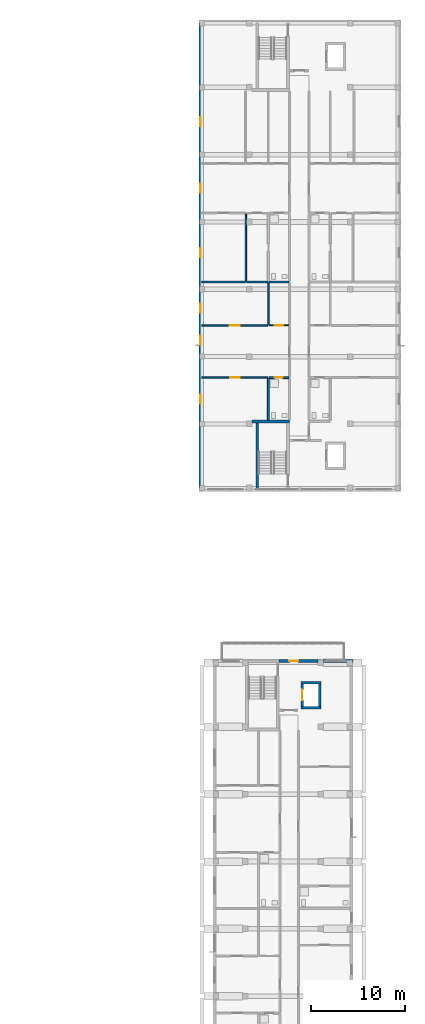
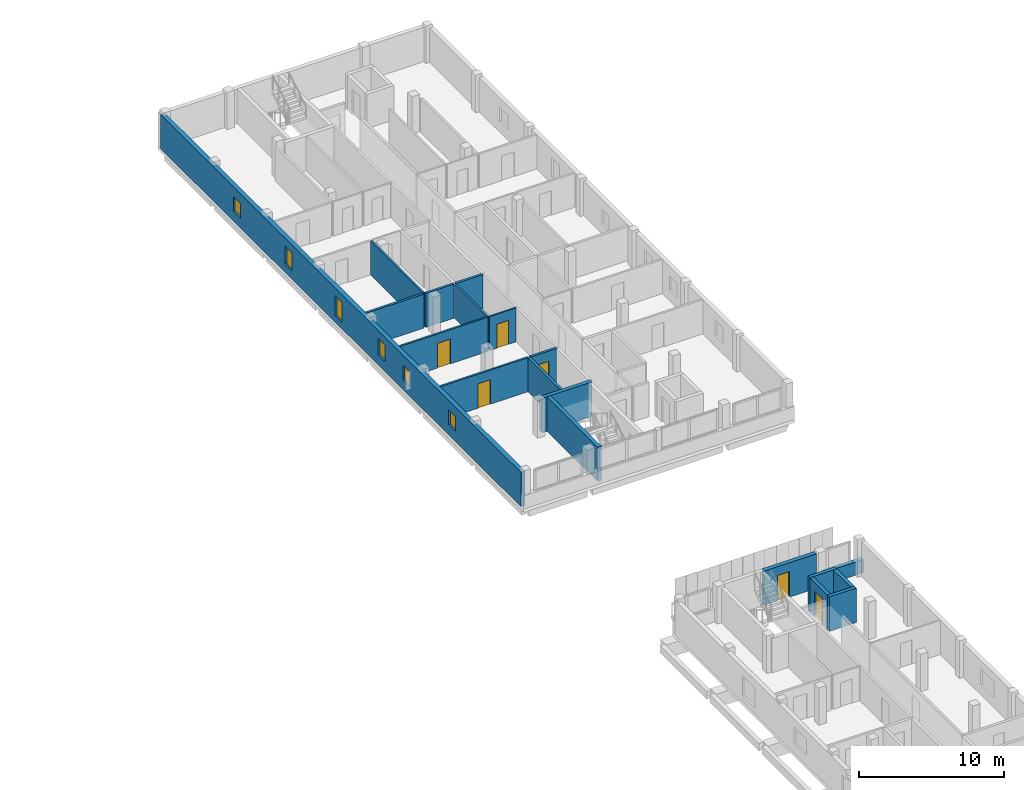
# One storey, part 21 of 38: 19 walls, 6 doors, 6 windows, 12 openings.
"""IFC4 building model written with IfcOpenShell, lengths in metres."""

from ifc_helpers import new_model, si_unit, derived_unit, direction, frame, frame_2d, origin, place, context, subcontext, project, spatial, rectangle, extrude, material, layer, layer_set, type_object, element, fill, save


model = new_model("IFC4")

# Units and contexts
model_context = context("Model", 3, precision=1e-05, world=origin(), true_north=direction((0.0, 1.0)))
body_context = subcontext(model_context, "Body", "Model", "MODEL_VIEW")
ifc_project = project(units=[si_unit("LENGTHUNIT", "METRE"), si_unit("AREAUNIT", "SQUARE_METRE"), si_unit("VOLUMEUNIT", "CUBIC_METRE"), si_unit("PLANEANGLEUNIT", "RADIAN"), si_unit("MASSUNIT", "GRAM", prefix="KILO"), derived_unit("THERMALTRANSMITTANCEUNIT", [(si_unit("MASSUNIT", "GRAM", prefix="KILO"), 1), (si_unit("TIMEUNIT", "SECOND"), -3), (si_unit("THERMODYNAMICTEMPERATUREUNIT", "KELVIN"), -1)])], contexts=[model_context])

# Site, building, storey
site_placement = place(None, origin())
site = spatial("IfcSite", under=ifc_project, at=site_placement, CompositionType="ELEMENT")
building_placement = place(site_placement, origin())
building = spatial("IfcBuilding", under=site, at=building_placement, Name="Ochrekiln Boulevard Commons", CompositionType="ELEMENT")
storey_placement = place(building_placement, frame((0.0, 0.0, 24.675048828125)))
storey = spatial("IfcBuildingStorey", under=building, at=storey_placement, Name="L07", CompositionType="ELEMENT", Elevation=24.675048828125)

# Wall, openings, windows
ifc_material_1 = material(Name="Iron-spot brown clinker brick masonry ASTM C216 Grade SW", Category="masonry")
ifc_layer_1 = layer(ifc_material_1, 0.340087890625)
ifc_layer_set_1 = layer_set([ifc_layer_1], Name="Iron-spot brown clinker brick masonry ASTM C216 Grade SW")
wall_type_1 = type_object("IfcWallType", Name="WL-EXT-IRON-340", PredefinedType="SOLIDWALL", material=ifc_layer_set_1)
wall_1_placement = place(storey_placement, frame((151.3701171875, 68.739990234375, 0.0), z_axis=(0.0, 0.0, 1.0), x_axis=(0.0, 1.0, 0.0)))
wall_1 = element("IfcWall", 1, at=wall_1_placement, inside=storey, type_object=wall_type_1, Name="Block B L07 W Exterior Wall", PredefinedType="SOLIDWALL", context=body_context, shape_type="SweptSolid", body=[
    extrude(rectangle(XDim=49.719970703125, YDim=0.340087890625, at=frame_2d((24.85986328125, 0.0))), origin(), (0.0, 0.0, 1.0), 2.89990234375),
])
opening_1_placement = place(wall_1_placement, frame((15.35009765625, 0.0, 0.85009765625)))
opening_1 = element("IfcOpeningElement", 2, at=opening_1_placement, cuts=wall_1, Name="Opening W-01", PredefinedType="OPENING", context=body_context, shape_type="SweptSolid", body=[
    extrude(rectangle(XDim=0.949951171875, YDim=1.199951171875, at=frame_2d((0.47509765625, 0.60009765625))), frame((0.0, 0.179931640625, 0.0), z_axis=(0.0, -1.0, 0.0), x_axis=(1.0, 0.0, 0.0)), (0.0, 0.0, 1.0), 0.360107421875),
])
opening_2_placement = place(wall_1_placement, frame((9.02294921875, 0.0, 0.89990234375)))
opening_2 = element("IfcOpeningElement", 3, at=opening_2_placement, cuts=wall_1, Name="Opening W-01", PredefinedType="OPENING", context=body_context, shape_type="SweptSolid", body=[
    extrude(rectangle(XDim=0.949951171875, YDim=1.199951171875, at=frame_2d((0.47509765625, 0.60009765625))), frame((0.0, 0.179931640625, 0.0), z_axis=(0.0, -1.0, 0.0), x_axis=(1.0, 0.0, 0.0)), (0.0, 0.0, 1.0), 0.360107421875),
])
opening_3_placement = place(wall_1_placement, frame((18.760009765625, 0.0, 0.864990234375)))
opening_3 = element("IfcOpeningElement", 4, at=opening_3_placement, cuts=wall_1, Name="Opening W-02", PredefinedType="OPENING", context=body_context, shape_type="SweptSolid", body=[
    extrude(rectangle(XDim=0.949951171875, YDim=1.35009765625, at=frame_2d((0.47509765625, 0.675048828125))), frame((0.0, 0.179931640625, 0.0), z_axis=(0.0, -1.0, 0.0), x_axis=(1.0, 0.0, 0.0)), (0.0, 0.0, 1.0), 0.360107421875),
])
opening_4_placement = place(wall_1_placement, frame((31.5849609375, 0.0, 0.715087890625)))
opening_4 = element("IfcOpeningElement", 5, at=opening_4_placement, cuts=wall_1, Name="Opening W-03", PredefinedType="OPENING", context=body_context, shape_type="SweptSolid", body=[
    extrude(rectangle(XDim=0.949951171875, YDim=1.5, at=frame_2d((0.47509765625, 0.75))), frame((0.0, 0.179931640625, 0.0), z_axis=(0.0, -1.0, 0.0), x_axis=(1.0, 0.0, 0.0)), (0.0, 0.0, 1.0), 0.360107421875),
])
opening_5_placement = place(wall_1_placement, frame((24.68701171875, 0.0, 0.56494140625)))
opening_5 = element("IfcOpeningElement", 6, at=opening_5_placement, cuts=wall_1, Name="Opening W-04", PredefinedType="OPENING", context=body_context, shape_type="SweptSolid", body=[
    extrude(rectangle(XDim=0.949951171875, YDim=1.64990234375, at=frame_2d((0.47509765625, 0.824951171875))), frame((0.0, 0.179931640625, 0.0), z_axis=(0.0, -1.0, 0.0), x_axis=(1.0, 0.0, 0.0)), (0.0, 0.0, 1.0), 0.360107421875),
])
opening_6_placement = place(wall_1_placement, frame((38.719970703125, 0.0, 0.85009765625)))
opening_6 = element("IfcOpeningElement", 7, at=opening_6_placement, cuts=wall_1, Name="Opening W-01", PredefinedType="OPENING", context=body_context, shape_type="SweptSolid", body=[
    extrude(rectangle(XDim=0.949951171875, YDim=1.199951171875, at=frame_2d((0.47509765625, 0.60009765625))), frame((0.0, 0.179931640625, 0.0), z_axis=(0.0, -1.0, 0.0), x_axis=(1.0, 0.0, 0.0)), (0.0, 0.0, 1.0), 0.360107421875),
])
ifc_material_2 = material(Name="Thermally broken aluminium-clad oak frame", Category="aluminium")
window_type_1 = type_object("IfcWindowType", Name="WIN-EXT-01", PartitioningType="SINGLE_PANEL", PredefinedType="WINDOW", material=ifc_material_2)
window_1_placement = place(opening_1_placement, origin())
window_1 = element("IfcWindow", 8, at=window_1_placement, inside=storey, type_object=window_type_1, Name="Block B L07 Punched Masonry Window W-01", OverallHeight=1.199951171875, OverallWidth=0.949951171875, PartitioningType="SINGLE_PANEL", PredefinedType="WINDOW", context=body_context, shape_type="SweptSolid", body=[
    extrude(rectangle(XDim=0.949951171875, YDim=1.199951171875, at=frame_2d((0.47509765625, 0.60009765625))), frame((0.0, 0.030029296875, 0.0), z_axis=(0.0, -1.0, 0.0), x_axis=(1.0, 0.0, 0.0)), (0.0, 0.0, 1.0), 0.06005859375),
])
fill(opening_1, window_1)
window_2_placement = place(opening_2_placement, origin())
window_2 = element("IfcWindow", 9, at=window_2_placement, inside=storey, type_object=window_type_1, Name="Block B L07 Punched Masonry Window W-01", OverallHeight=1.199951171875, OverallWidth=0.949951171875, PartitioningType="SINGLE_PANEL", PredefinedType="WINDOW", context=body_context, shape_type="SweptSolid", body=[
    extrude(rectangle(XDim=0.949951171875, YDim=1.199951171875, at=frame_2d((0.47509765625, 0.60009765625))), frame((0.0, 0.030029296875, 0.0), z_axis=(0.0, -1.0, 0.0), x_axis=(1.0, 0.0, 0.0)), (0.0, 0.0, 1.0), 0.06005859375),
])
fill(opening_2, window_2)
window_3_placement = place(opening_6_placement, origin())
window_3 = element("IfcWindow", 10, at=window_3_placement, inside=storey, type_object=window_type_1, Name="Block B L07 Punched Masonry Window W-01", OverallHeight=1.199951171875, OverallWidth=0.949951171875, PartitioningType="SINGLE_PANEL", PredefinedType="WINDOW", context=body_context, shape_type="SweptSolid", body=[
    extrude(rectangle(XDim=0.949951171875, YDim=1.199951171875, at=frame_2d((0.47509765625, 0.60009765625))), frame((0.0, 0.030029296875, 0.0), z_axis=(0.0, -1.0, 0.0), x_axis=(1.0, 0.0, 0.0)), (0.0, 0.0, 1.0), 0.06005859375),
])
fill(opening_6, window_3)
window_type_2 = type_object("IfcWindowType", Name="WIN-EXT-02", PartitioningType="SINGLE_PANEL", PredefinedType="WINDOW", material=ifc_material_2)
window_4_placement = place(opening_3_placement, origin())
window_4 = element("IfcWindow", 11, at=window_4_placement, inside=storey, type_object=window_type_2, Name="Block B L07 Punched Masonry Window W-02", OverallHeight=1.35009765625, OverallWidth=0.949951171875, PartitioningType="SINGLE_PANEL", PredefinedType="WINDOW", context=body_context, shape_type="SweptSolid", body=[
    extrude(rectangle(XDim=0.949951171875, YDim=1.35009765625, at=frame_2d((0.47509765625, 0.675048828125))), frame((0.0, 0.030029296875, 0.0), z_axis=(0.0, -1.0, 0.0), x_axis=(1.0, 0.0, 0.0)), (0.0, 0.0, 1.0), 0.06005859375),
])
fill(opening_3, window_4)
window_type_3 = type_object("IfcWindowType", Name="WIN-EXT-03", PartitioningType="SINGLE_PANEL", PredefinedType="WINDOW", material=ifc_material_2)
window_5_placement = place(opening_4_placement, origin())
window_5 = element("IfcWindow", 12, at=window_5_placement, inside=storey, type_object=window_type_3, Name="Block B L07 Punched Masonry Window W-03", OverallHeight=1.5, OverallWidth=0.949951171875, PartitioningType="SINGLE_PANEL", PredefinedType="WINDOW", context=body_context, shape_type="SweptSolid", body=[
    extrude(rectangle(XDim=0.949951171875, YDim=1.5, at=frame_2d((0.47509765625, 0.75))), frame((0.0, 0.030029296875, 0.0), z_axis=(0.0, -1.0, 0.0), x_axis=(1.0, 0.0, 0.0)), (0.0, 0.0, 1.0), 0.06005859375),
])
fill(opening_4, window_5)
window_type_4 = type_object("IfcWindowType", Name="WIN-EXT-04", PartitioningType="SINGLE_PANEL", PredefinedType="WINDOW", material=ifc_material_2)
window_6_placement = place(opening_5_placement, origin())
window_6 = element("IfcWindow", 13, at=window_6_placement, inside=storey, type_object=window_type_4, Name="Block B L07 Punched Masonry Window W-04", OverallHeight=1.64990234375, OverallWidth=0.949951171875, PartitioningType="SINGLE_PANEL", PredefinedType="WINDOW", context=body_context, shape_type="SweptSolid", body=[
    extrude(rectangle(XDim=0.949951171875, YDim=1.64990234375, at=frame_2d((0.47509765625, 0.824951171875))), frame((0.0, 0.030029296875, 0.0), z_axis=(0.0, -1.0, 0.0), x_axis=(1.0, 0.0, 0.0)), (0.0, 0.0, 1.0), 0.06005859375),
])
fill(opening_5, window_6)

# Wall, opening, door
ifc_material_3 = material(Name="Desert ochre clinker brick masonry ASTM C216 Grade SW", Category="masonry")
ifc_layer_2 = layer(ifc_material_3, 0.330078125)
ifc_layer_set_2 = layer_set([ifc_layer_2], Name="Desert ochre clinker brick masonry ASTM C216 Grade SW")
wall_type_2 = type_object("IfcWallType", Name="WL-EXT-OCHRE-330", PredefinedType="SOLIDWALL", material=ifc_layer_set_2)
wall_2_placement = place(storey_placement, frame((159.800048828125, 50.235107421875, 0.0), z_axis=(0.0, 0.0, 1.0), x_axis=(1.0, 0.0, 0.0)))
wall_2 = element("IfcWall", 14, at=wall_2_placement, inside=storey, type_object=wall_type_2, Name="Block C L07 North Balcony Door Wall", PredefinedType="SOLIDWALL", context=body_context, shape_type="SweptSolid", body=[
    extrude(rectangle(XDim=4.14990234375, YDim=0.330078125, at=frame_2d((2.074951171875, 0.0))), origin(), (0.0, 0.0, 1.0), 2.89990234375),
])
opening_7_placement = place(wall_2_placement, frame((1.074951171875, 0.0, 0.0)))
opening_7 = element("IfcOpeningElement", 15, at=opening_7_placement, cuts=wall_2, Name="Opening D-L07-CBL", PredefinedType="OPENING", context=body_context, shape_type="SweptSolid", body=[
    extrude(rectangle(XDim=0.949951171875, YDim=2.14990234375, at=frame_2d((0.47509765625, 1.074951171875))), frame((0.0, 0.175048828125, 0.0), z_axis=(0.0, -1.0, 0.0), x_axis=(1.0, 0.0, 0.0)), (0.0, 0.0, 1.0), 0.35009765625),
])
door_type_1 = type_object("IfcDoorType", Name="DR-EXT-BAL-095", OperationType="NOTDEFINED", PredefinedType="DOOR", material=ifc_material_2)
door_1_placement = place(opening_7_placement, origin())
door_1 = element("IfcDoor", 16, at=door_1_placement, inside=storey, type_object=door_type_1, Name="Block C L07 North Courtyard Balcony Door", OperationType="SINGLE_SWING_LEFT", OverallHeight=2.14990234375, OverallWidth=0.949951171875, PredefinedType="DOOR", context=body_context, shape_type="SweptSolid", body=[
    extrude(rectangle(XDim=0.949951171875, YDim=2.14990234375, at=frame_2d((0.47509765625, 1.074951171875))), frame((0.0, 0.02490234375, 0.0), z_axis=(0.0, -1.0, 0.0), x_axis=(1.0, 0.0, 0.0)), (0.0, 0.0, 1.0), 0.050048828125),
])
fill(opening_7, door_1)

# Wall
wall_3_placement = place(storey_placement, frame((164.550048828125, 50.235107421875, 0.0), z_axis=(0.0, 0.0, 1.0), x_axis=(1.0, 0.0, 0.0)))
element("IfcWall", 17, at=wall_3_placement, inside=storey, type_object=wall_type_2, Name="Block C L07 Courtyard Gable Sill Wall R", PredefinedType="SOLIDWALL", context=body_context, shape_type="SweptSolid", body=[
    extrude(rectangle(XDim=3.14990234375, YDim=0.330078125, at=frame_2d((1.574951171875, 0.0))), origin(), (0.0, 0.0, 1.0), 1.10986328125),
])

# Wall, opening, door
ifc_material_4 = material(Name="Moisture-resistant cementitious tile backer wall")
ifc_layer_3 = layer(ifc_material_4, 0.199951171875)
ifc_layer_set_3 = layer_set([ifc_layer_3], Name="Moisture-resistant cementitious tile backer wall")
wall_type_3 = type_object("IfcWallType", Name="WL-PLM-200", PredefinedType="PLUMBINGWALL", material=ifc_layer_set_3)
wall_4_placement = place(storey_placement, frame((158.719970703125, 80.554931640625, 0.0), z_axis=(0.0, 0.0, 1.0), x_axis=(1.0, 0.0, 0.0)))
wall_4 = element("IfcWall", 18, at=wall_4_placement, inside=storey, type_object=wall_type_3, Name="L07 Interior Wall W-PW200", PredefinedType="PLUMBINGWALL", context=body_context, shape_type="SweptSolid", body=[
    extrude(rectangle(XDim=2.10693359375, YDim=0.199951171875, at=frame_2d((1.053466796875, 0.0))), origin(), (0.0, 0.0, 1.0), 2.869873046875),
])
opening_8_placement = place(wall_4_placement, frame((0.6201171875, 0.0, 0.0)))
opening_8 = element("IfcOpeningElement", 19, at=opening_8_placement, cuts=wall_4, Name="Opening D-L07-932", PredefinedType="OPENING", context=body_context, shape_type="SweptSolid", body=[
    extrude(rectangle(XDim=0.860107421875, YDim=2.0, at=frame_2d((0.43017578125, 1.0))), frame((0.0, 0.10986328125, 0.0), z_axis=(0.0, -1.0, 0.0), x_axis=(1.0, 0.0, 0.0)), (0.0, 0.0, 1.0), 0.219970703125),
])
ifc_material_5 = material(Name="Solid core architectural oak door leaf")
door_type_2 = type_object("IfcDoorType", Name="DR-INT-BTH-086", OperationType="NOTDEFINED", PredefinedType="DOOR", material=ifc_material_5)
door_2_placement = place(opening_8_placement, frame((0.860107421875, 0.0, 0.0), z_axis=(0.0, 0.0, 1.0), x_axis=(-1.0, 0.0, 0.0)))
door_2 = element("IfcDoor", 20, at=door_2_placement, inside=storey, type_object=door_type_2, Name="L07 Interior Door to Accessible Apartment Bathroom", OperationType="SINGLE_SWING_RIGHT", OverallHeight=2.0, OverallWidth=0.860107421875, PredefinedType="DOOR", context=body_context, shape_type="SweptSolid", body=[
    extrude(rectangle(XDim=0.860107421875, YDim=2.0, at=frame_2d((0.43017578125, 1.0))), frame((0.0, 0.02490234375, 0.0), z_axis=(0.0, -1.0, 0.0), x_axis=(1.0, 0.0, 0.0)), (0.0, 0.0, 1.0), 0.050048828125),
])
fill(opening_8, door_2)

# Walls
wall_5_placement = place(storey_placement, frame((158.639892578125, 76.0, 0.0), z_axis=(0.0, 0.0, 1.0), x_axis=(0.0, 1.0, 0.0)))
element("IfcWall", 21, at=wall_5_placement, inside=storey, type_object=wall_type_3, Name="L07 Interior Wall W-PW200", PredefinedType="PLUMBINGWALL", context=body_context, shape_type="SweptSolid", body=[
    extrude(rectangle(XDim=4.47998046875, YDim=0.199951171875, at=frame_2d((2.239990234375, 0.0))), origin(), (0.0, 0.0, 1.0), 2.869873046875),
])
wall_6_placement = place(storey_placement, frame((158.715087890625, 90.783935546875, 0.0), z_axis=(0.0, 0.0, 1.0), x_axis=(1.0, 0.0, 0.0)))
element("IfcWall", 22, at=wall_6_placement, inside=storey, type_object=wall_type_3, Name="L07 Interior Wall W-PW200", PredefinedType="PLUMBINGWALL", context=body_context, shape_type="SweptSolid", body=[
    extrude(rectangle(XDim=2.11181640625, YDim=0.199951171875, at=frame_2d((1.055908203125, 0.0))), origin(), (0.0, 0.0, 1.0), 2.869873046875),
])
ifc_material_6 = material(Name="Fire-rated Type X gypsum board on steel studs", Category="steel")
ifc_layer_4 = layer(ifc_material_6, 0.179931640625)
ifc_layer_set_4 = layer_set([ifc_layer_4], Name="Fire-rated Type X gypsum board on steel studs")
wall_type_4 = type_object("IfcWallType", Name="WL-PT-DEM-180", PredefinedType="PARTITIONING", material=ifc_layer_set_4)
wall_7_placement = place(storey_placement, frame((151.5400390625, 90.783935546875, 0.0), z_axis=(0.0, 0.0, 1.0), x_axis=(1.0, 0.0, 0.0)))
element("IfcWall", 23, at=wall_7_placement, inside=storey, type_object=wall_type_4, Name="L07 Interior Wall W-PD180", PredefinedType="PARTITIONING", context=body_context, shape_type="SweptSolid", body=[
    extrude(rectangle(XDim=4.60986328125, YDim=0.179931640625, at=frame_2d((2.304931640625, 0.0))), origin(), (0.0, 0.0, 1.0), 2.869873046875),
])
wall_8_placement = place(storey_placement, frame((156.31005859375, 90.783935546875, 0.0), z_axis=(0.0, 0.0, 1.0), x_axis=(1.0, 0.0, 0.0)))
element("IfcWall", 24, at=wall_8_placement, inside=storey, type_object=wall_type_4, Name="L07 Interior Wall W-PD180", PredefinedType="PARTITIONING", context=body_context, shape_type="SweptSolid", body=[
    extrude(rectangle(XDim=2.25, YDim=0.179931640625, at=frame_2d((1.125, 0.0))), origin(), (0.0, 0.0, 1.0), 2.869873046875),
])

# Wall, opening, door
ifc_layer_5 = layer(ifc_material_6, 0.1201171875)
ifc_layer_set_5 = layer_set([ifc_layer_5], Name="Fire-rated Type X gypsum board on steel studs")
wall_type_5 = type_object("IfcWallType", Name="WL-PT-LGT-120", PredefinedType="PARTITIONING", material=ifc_layer_set_5)
wall_9_placement = place(storey_placement, frame((158.719970703125, 86.138916015625, 0.0), z_axis=(0.0, 0.0, 1.0), x_axis=(1.0, 0.0, 0.0)))
wall_9 = element("IfcWall", 25, at=wall_9_placement, inside=storey, type_object=wall_type_5, Name="L07 Interior Wall W-PL120", PredefinedType="PARTITIONING", context=body_context, shape_type="SweptSolid", body=[
    extrude(rectangle(XDim=2.10693359375, YDim=0.1201171875, at=frame_2d((1.053466796875, 0.0))), origin(), (0.0, 0.0, 1.0), 2.869873046875),
])
opening_9_placement = place(wall_9_placement, frame((0.590087890625, 0.0, 0.0)))
opening_9 = element("IfcOpeningElement", 26, at=opening_9_placement, cuts=wall_9, Name="Opening D-L07-933", PredefinedType="OPENING", context=body_context, shape_type="SweptSolid", body=[
    extrude(rectangle(XDim=0.919921875, YDim=2.02001953125, at=frame_2d((0.4599609375, 1.010009765625))), frame((0.0, 0.070068359375, 0.0), z_axis=(0.0, -1.0, 0.0), x_axis=(1.0, 0.0, 0.0)), (0.0, 0.0, 1.0), 0.14013671875),
])
door_type_3 = type_object("IfcDoorType", Name="DR-INT-KIT-092", OperationType="NOTDEFINED", PredefinedType="DOOR", material=ifc_material_5)
door_3_placement = place(opening_9_placement, origin())
door_3 = element("IfcDoor", 27, at=door_3_placement, inside=storey, type_object=door_type_3, Name="L07 Interior Door to Apartment Kitchen", OperationType="SINGLE_SWING_LEFT", OverallHeight=2.02001953125, OverallWidth=0.919921875, PredefinedType="DOOR", context=body_context, shape_type="SweptSolid", body=[
    extrude(rectangle(XDim=0.919921875, YDim=2.02001953125, at=frame_2d((0.4599609375, 1.010009765625))), frame((0.0, 0.02490234375, 0.0), z_axis=(0.0, -1.0, 0.0), x_axis=(1.0, 0.0, 0.0)), (0.0, 0.0, 1.0), 0.050048828125),
])
fill(opening_9, door_3)

ifc_layer_6 = layer(ifc_material_6, 0.14990234375)
ifc_layer_set_6 = layer_set([ifc_layer_6], Name="Fire-rated Type X gypsum board on steel studs")
wall_type_6 = type_object("IfcWallType", Name="WL-PT-STD-150", PredefinedType="PARTITIONING", material=ifc_layer_set_6)
wall_10_placement = place(storey_placement, frame((151.5400390625, 80.554931640625, 0.0), z_axis=(0.0, 0.0, 1.0), x_axis=(1.0, 0.0, 0.0)))
wall_10 = element("IfcWall", 28, at=wall_10_placement, inside=storey, type_object=wall_type_6, Name="L07 Interior Wall W-PS150", PredefinedType="PARTITIONING", context=body_context, shape_type="SweptSolid", body=[
    extrude(rectangle(XDim=7.02001953125, YDim=0.14990234375, at=frame_2d((3.510009765625, 0.0))), origin(), (0.0, 0.0, 1.0), 2.869873046875),
])
opening_10_placement = place(wall_10_placement, frame((3.014892578125, 0.0, 0.0)))
opening_10 = element("IfcOpeningElement", 29, at=opening_10_placement, cuts=wall_10, Name="Opening D-L07-934", PredefinedType="OPENING", context=body_context, shape_type="SweptSolid", body=[
    extrude(rectangle(XDim=1.0, YDim=2.06005859375, at=frame_2d((0.5, 1.030029296875))), frame((0.0, 0.0849609375, 0.0), z_axis=(0.0, -1.0, 0.0), x_axis=(1.0, 0.0, 0.0)), (0.0, 0.0, 1.0), 0.169921875),
])
door_type_4 = type_object("IfcDoorType", Name="DR-INT-BED-100", OperationType="NOTDEFINED", PredefinedType="DOOR", material=ifc_material_5)
door_4_placement = place(opening_10_placement, frame((1.0, 0.0, 0.0), z_axis=(0.0, 0.0, 1.0), x_axis=(-1.0, 0.0, 0.0)))
door_4 = element("IfcDoor", 30, at=door_4_placement, inside=storey, type_object=door_type_4, Name="L07 Interior Door to Primary Apartment Bedroom", OperationType="SINGLE_SWING_RIGHT", OverallHeight=2.06005859375, OverallWidth=1.0, PredefinedType="DOOR", context=body_context, shape_type="SweptSolid", body=[
    extrude(rectangle(XDim=1.0, YDim=2.06005859375, at=frame_2d((0.5, 1.030029296875))), frame((0.0, 0.02490234375, 0.0), z_axis=(0.0, -1.0, 0.0), x_axis=(1.0, 0.0, 0.0)), (0.0, 0.0, 1.0), 0.050048828125),
])
fill(opening_10, door_4)

wall_11_placement = place(storey_placement, frame((151.5400390625, 86.138916015625, 0.0), z_axis=(0.0, 0.0, 1.0), x_axis=(1.0, 0.0, 0.0)))
wall_11 = element("IfcWall", 31, at=wall_11_placement, inside=storey, type_object=wall_type_6, Name="L07 Interior Wall W-PS150", PredefinedType="PARTITIONING", context=body_context, shape_type="SweptSolid", body=[
    extrude(rectangle(XDim=7.02001953125, YDim=0.14990234375, at=frame_2d((3.510009765625, 0.0))), origin(), (0.0, 0.0, 1.0), 2.869873046875),
])
opening_11_placement = place(wall_11_placement, frame((2.9951171875, 0.0, 0.0)))
opening_11 = element("IfcOpeningElement", 32, at=opening_11_placement, cuts=wall_11, Name="Opening D-L07-935", PredefinedType="OPENING", context=body_context, shape_type="SweptSolid", body=[
    extrude(rectangle(XDim=1.0400390625, YDim=2.080078125, at=frame_2d((0.52001953125, 1.0400390625))), frame((0.0, 0.0849609375, 0.0), z_axis=(0.0, -1.0, 0.0), x_axis=(1.0, 0.0, 0.0)), (0.0, 0.0, 1.0), 0.169921875),
])
door_type_5 = type_object("IfcDoorType", Name="DR-INT-BED-104", OperationType="NOTDEFINED", PredefinedType="DOOR", material=ifc_material_5)
door_5_placement = place(opening_11_placement, origin())
door_5 = element("IfcDoor", 33, at=door_5_placement, inside=storey, type_object=door_type_5, Name="L07 Interior Door to Secondary Apartment Bedroom", OperationType="SINGLE_SWING_LEFT", OverallHeight=2.080078125, OverallWidth=1.0400390625, PredefinedType="DOOR", context=body_context, shape_type="SweptSolid", body=[
    extrude(rectangle(XDim=1.0400390625, YDim=2.080078125, at=frame_2d((0.52001953125, 1.0400390625))), frame((0.0, 0.02490234375, 0.0), z_axis=(0.0, -1.0, 0.0), x_axis=(1.0, 0.0, 0.0)), (0.0, 0.0, 1.0), 0.050048828125),
])
fill(opening_11, door_5)

# Walls
wall_12_placement = place(storey_placement, frame((158.639892578125, 86.198974609375, 0.0), z_axis=(0.0, 0.0, 1.0), x_axis=(0.0, 1.0, 0.0)))
element("IfcWall", 34, at=wall_12_placement, inside=storey, type_object=wall_type_6, Name="L07 Interior Wall W-PS150", PredefinedType="PARTITIONING", context=body_context, shape_type="SweptSolid", body=[
    extrude(rectangle(XDim=4.4951171875, YDim=0.14990234375, at=frame_2d((2.24755859375, 0.0))), origin(), (0.0, 0.0, 1.0), 2.869873046875),
])
wall_13_placement = place(storey_placement, frame((156.22998046875, 90.8740234375, 0.0), z_axis=(0.0, 0.0, 1.0), x_axis=(0.0, 1.0, 0.0)))
element("IfcWall", 35, at=wall_13_placement, inside=storey, type_object=wall_type_6, Name="L07 Interior Wall W-PS150", PredefinedType="PARTITIONING", context=body_context, shape_type="SweptSolid", body=[
    extrude(rectangle(XDim=7.200927734375, YDim=0.14990234375, at=frame_2d((3.6005859375, 0.0))), origin(), (0.0, 0.0, 1.0), 2.869873046875),
])
ifc_material_7 = material(Name="Concrete C40/50", Category="concrete")
ifc_layer_7 = layer(ifc_material_7, 0.27490234375)
ifc_layer_set_7 = layer_set([ifc_layer_7], Name="Concrete C40/50")
wall_type_7 = type_object("IfcWallType", Name="WL-SH-275", PredefinedType="SHEAR", material=ifc_layer_set_7)
for number, where, z_axis, x_axis, name in (
    (36, (162.125, 45.262451171875, 0.0), (0.0, 0.0, 1.0), (1.0, 0.0, 0.0), "Elevator LP-C2 L07 Hoistway Shear Wall"),
    (37, (162.125, 47.9375, 0.0), (0.0, 0.0, 1.0), (1.0, 0.0, 0.0), "Elevator LP-C2 L07 Hoistway Shear Wall"),
):
    element("IfcWall", number, at=place(storey_placement, frame(where, z_axis=z_axis, x_axis=x_axis)), inside=storey, type_object=wall_type_7, Name=name, PredefinedType="SHEAR", context=body_context, shape_type="SweptSolid", body=[
        extrude(rectangle(XDim=2.14990234375, YDim=0.27490234375, at=frame_2d((1.074951171875, 0.0))), origin(), (0.0, 0.0, 1.0), 2.89990234375),
    ])

# Wall, opening, door
wall_14_placement = place(storey_placement, frame((162.262451171875, 45.39990234375, 0.0), z_axis=(0.0, 0.0, 1.0), x_axis=(0.0, 1.0, 0.0)))
wall_14 = element("IfcWall", 38, at=wall_14_placement, inside=storey, type_object=wall_type_7, Name="Elevator LP-C2 L07 Hoistway Shear Wall", PredefinedType="SHEAR", context=body_context, shape_type="SweptSolid", body=[
    extrude(rectangle(XDim=2.400146484375, YDim=0.27490234375, at=frame_2d((1.2001953125, 0.0))), origin(), (0.0, 0.0, 1.0), 2.89990234375),
])
opening_12_placement = place(wall_14_placement, frame((0.64990234375, 0.0, 0.0)))
opening_12 = element("IfcOpeningElement", 39, at=opening_12_placement, cuts=wall_14, Name="Opening LD-LP-C2-L07", PredefinedType="OPENING", context=body_context, shape_type="SweptSolid", body=[
    extrude(rectangle(XDim=1.10009765625, YDim=2.14990234375, at=frame_2d((0.550048828125, 1.074951171875))), frame((0.0, 0.1474609375, 0.0), z_axis=(0.0, -1.0, 0.0), x_axis=(1.0, 0.0, 0.0)), (0.0, 0.0, 1.0), 0.294921875),
])
ifc_material_8 = material(Name="Brushed stainless steel 316 elevator cab and doors", Category="steel")
door_type_6 = type_object("IfcDoorType", Name="DR-LIFT-LD90", OperationType="SLIDING_TO_LEFT", PredefinedType="DOOR", material=ifc_material_8)
door_6_placement = place(opening_12_placement, origin())
door_6 = element("IfcDoor", 40, at=door_6_placement, inside=storey, type_object=door_type_6, Name="Elevator LP-C2 L07 Sliding Landing Door LD-LP-C2-L07", OperationType="SLIDING_TO_LEFT", OverallHeight=2.14990234375, OverallWidth=1.10009765625, PredefinedType="DOOR", context=body_context, shape_type="SweptSolid", body=[
    extrude(rectangle(XDim=1.10009765625, YDim=2.14990234375, at=frame_2d((0.550048828125, 1.074951171875))), frame((0.0, 0.02490234375, 0.0), z_axis=(0.0, -1.0, 0.0), x_axis=(1.0, 0.0, 0.0)), (0.0, 0.0, 1.0), 0.050048828125),
])
fill(opening_12, door_6)

# Walls
wall_15_placement = place(storey_placement, frame((164.137451171875, 45.39990234375, 0.0), z_axis=(0.0, 0.0, 1.0), x_axis=(0.0, 1.0, 0.0)))
element("IfcWall", 41, at=wall_15_placement, inside=storey, type_object=wall_type_7, Name="Elevator LP-C2 L07 Hoistway Shear Wall", PredefinedType="SHEAR", context=body_context, shape_type="SweptSolid", body=[
    extrude(rectangle(XDim=2.400146484375, YDim=0.27490234375, at=frame_2d((1.2001953125, 0.0))), origin(), (0.0, 0.0, 1.0), 2.89990234375),
])
ifc_layer_8 = layer(ifc_material_7, 0.300048828125)
ifc_layer_set_8 = layer_set([ifc_layer_8], Name="Concrete C40/50")
wall_type_8 = type_object("IfcWallType", Name="WL-SH-300", PredefinedType="SHEAR", material=ifc_layer_set_8)
wall_16_placement = place(storey_placement, frame((156.89990234375, 75.8701171875, 0.0), z_axis=(0.0, 0.0, 1.0), x_axis=(1.0, 0.0, 0.0)))
element("IfcWall", 42, at=wall_16_placement, inside=storey, type_object=wall_type_8, Name="Stair ST-B1 L07 Core Shear Wall N", PredefinedType="SHEAR", context=body_context, shape_type="SweptSolid", body=[
    extrude(rectangle(XDim=4.0, YDim=0.300048828125, at=frame_2d((2.0, 0.0))), origin(), (0.0, 0.0, 1.0), 2.89990234375),
])
wall_17_placement = place(storey_placement, frame((157.449951171875, 68.719970703125, 0.0), z_axis=(0.0, 0.0, 1.0), x_axis=(0.0, 1.0, 0.0)))
element("IfcWall", 43, at=wall_17_placement, inside=storey, type_object=wall_type_8, Name="Stair ST-B1 L07 Core Shear Wall W", PredefinedType="SHEAR", context=body_context, shape_type="SweptSolid", body=[
    extrude(rectangle(XDim=7.0, YDim=0.300048828125, at=frame_2d((3.5, 0.0))), origin(), (0.0, 0.0, 1.0), 2.89990234375),
])

save(model, "model.ifc")
